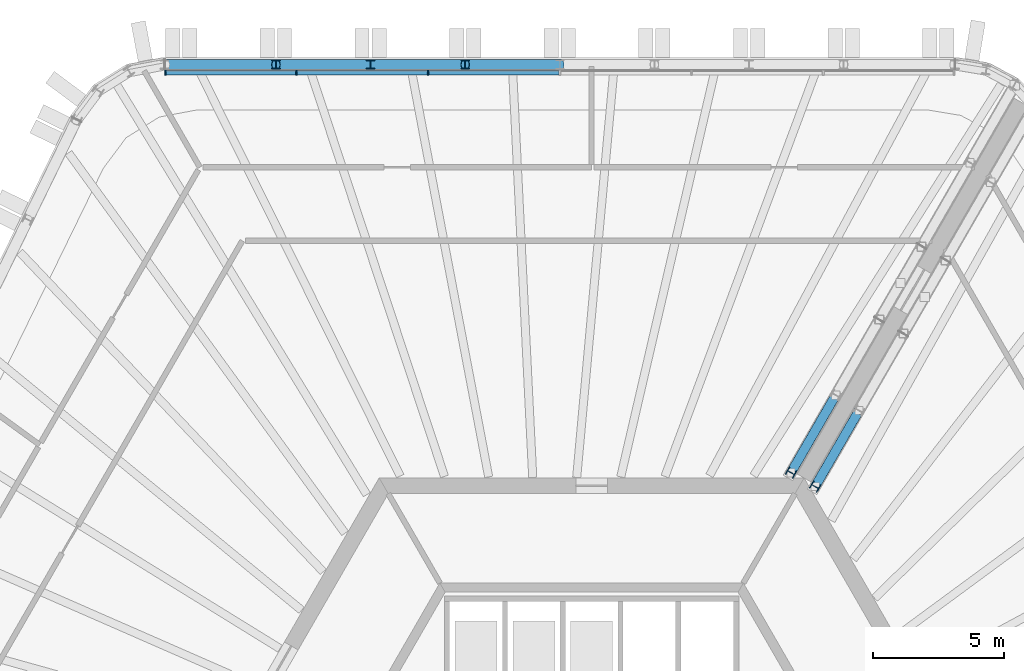
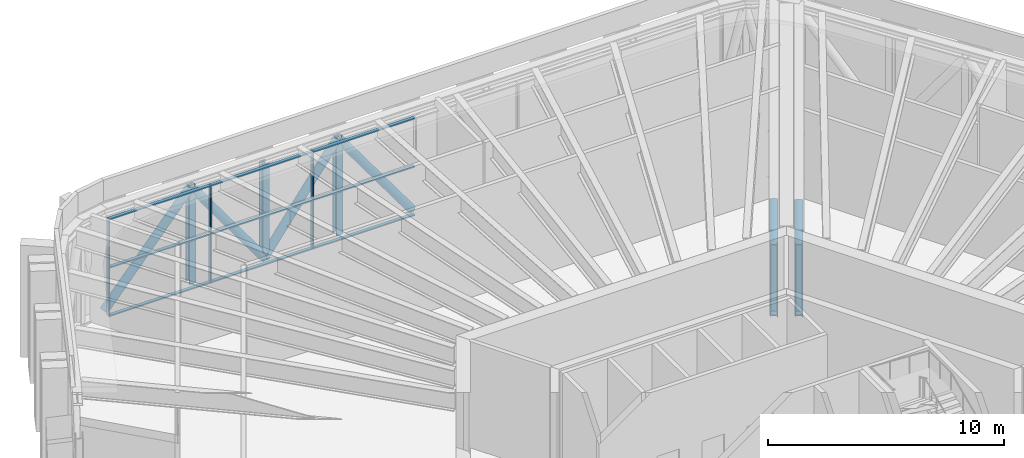
# One storey, part 7 of 27: 23 members, 1 element without a shape of its own.
"""IFC4 building model written with IfcOpenShell, lengths in metres."""

import ifcopenshell
import ifcopenshell.guid

model = None  # the IFC model being written
_history = None  # IfcOwnerHistory: only IFC2X3 demands one
_inside = {}  # id of a spatial element -> (the spatial element, [elements in it])
_under = {}  # id of a project, library or spatial element -> (it, [spatial elements below it])
_declared = {}  # id of a project -> (the project, [libraries it declares])
_typed = {}  # id of a type object -> (the type object, [elements of that type])
_made_of = {}  # id of a material, layer set ... -> (it, [elements and type objects made of it])


def new_model(schema):
    """Start an empty IFC model of exactly this schema.

    Asked for "IFC4X3", IfcOpenShell would pick the latest addendum, in which some entities
    have other attributes; the version numbers below select the first issue.
    IFC2X3 requires an IfcOwnerHistory on every rooted entity: one is made here for all.
    """
    global model, _history
    if schema == "IFC4X3":
        model = ifcopenshell.file(schema_version=(4, 3, 0, 0))
    else:
        model = ifcopenshell.file(schema=schema)
    _inside.clear()
    _under.clear()
    _declared.clear()
    _typed.clear()
    _made_of.clear()
    _history = None
    if model.schema == "IFC2X3":
        org = make("IfcOrganization", Name="unknown")
        user = make(
            "IfcPersonAndOrganization",
            ThePerson=make("IfcPerson", FamilyName="unknown"),
            TheOrganization=org,
        )
        app = make(
            "IfcApplication",
            ApplicationDeveloper=org,
            Version="unknown",
            ApplicationFullName="unknown",
            ApplicationIdentifier="unknown",
        )
        _history = make(
            "IfcOwnerHistory",
            OwningUser=user,
            OwningApplication=app,
            ChangeAction="ADDED",
            CreationDate=0,
        )
    return model


def make(cls, **values):
    """One entity of the class cls with the attributes given. An attribute that is None is left unset."""
    return model.create_entity(
        cls, **{name: value for name, value in values.items() if value is not None}
    )


def rooted(cls, **values):
    """An entity with a GlobalId (a new one), such as an element, a storey or a relation."""
    return make(cls, GlobalId=ifcopenshell.guid.new(), OwnerHistory=_history, **values)


def si_unit(unit_type, name, prefix=None):
    """IfcSIUnit, for example si_unit("LENGTHUNIT", "METRE", prefix="MILLI")."""
    return make("IfcSIUnit", UnitType=unit_type, Prefix=prefix, Name=name)


def assignment(units):
    """IfcUnitAssignment: the units of a project."""
    return None if units is None else make("IfcUnitAssignment", Units=units)


def point(xyz):
    """IfcCartesianPoint."""
    return None if xyz is None else make("IfcCartesianPoint", Coordinates=xyz)


def direction(xyz):
    """IfcDirection."""
    return None if xyz is None else make("IfcDirection", DirectionRatios=xyz)


def frame(location, z_axis=None, x_axis=None):
    """IfcAxis2Placement3D, a coordinate frame: its origin and axes. An axis left out is left unset."""
    return make(
        "IfcAxis2Placement3D",
        Location=point(location),
        Axis=direction(z_axis),
        RefDirection=direction(x_axis),
    )


def frame_2d(location, x_axis=None):
    """IfcAxis2Placement2D, a coordinate frame in the plane: its origin and x axis."""
    return make(
        "IfcAxis2Placement2D", Location=point(location), RefDirection=direction(x_axis)
    )


def origin():
    """The frame at (0, 0, 0) with its axes left unset."""
    return frame((0.0, 0.0, 0.0))


def origin_2d():
    """The frame at (0, 0) in the plane with its x axis left unset."""
    return frame_2d((0.0, 0.0))


def place(relative_to, where):
    """IfcLocalPlacement: puts the frame where relative to a parent placement (None: the world)."""
    return make(
        "IfcLocalPlacement", PlacementRelTo=relative_to, RelativePlacement=where
    )


def context(
    kind, dimensions, precision=None, world=None, true_north=None, identifier=None
):
    """IfcGeometricRepresentationContext, for example the 3D "Model" context."""
    return make(
        "IfcGeometricRepresentationContext",
        ContextIdentifier=identifier,
        ContextType=kind,
        CoordinateSpaceDimension=dimensions,
        Precision=precision,
        WorldCoordinateSystem=world,
        TrueNorth=true_north,
    )


def subcontext(parent, identifier, kind, view, scale=None):
    """IfcGeometricRepresentationSubContext, for example "Body" below "Model"."""
    return make(
        "IfcGeometricRepresentationSubContext",
        ContextIdentifier=identifier,
        ContextType=kind,
        ParentContext=parent,
        TargetScale=scale,
        TargetView=view,
    )


def project(units=None, contexts=None):
    """IfcProject with its units and contexts."""
    return rooted(
        "IfcProject",
        Name="project",
        RepresentationContexts=contexts,
        UnitsInContext=assignment(units),
    )


def spatial(cls, under=None, at=None, **own):
    """A site, building, storey or space (cls), placed at a placement, below another one or the project."""
    s = rooted(cls, ObjectPlacement=at, **own)
    if under is not None:
        _under.setdefault(under.id(), (under, []))[1].append(s)
    return s


def profile(cls, at=None, kind="AREA", **sizes):
    """A parametric profile (cls). Its sizes go by their IFC names, for example OverallWidth=200.0."""
    return make(cls, ProfileType=kind, Position=at, **sizes)


def rectangle(**sizes):
    """IfcRectangleProfileDef."""
    return profile("IfcRectangleProfileDef", **sizes)


def hollow_circle(**sizes):
    """IfcCircleHollowProfileDef."""
    return profile("IfcCircleHollowProfileDef", **sizes)


def i_section(**sizes):
    """IfcIShapeProfileDef."""
    return profile("IfcIShapeProfileDef", **sizes)


def extrude(swept, where, along, depth):
    """IfcExtrudedAreaSolid: the profile swept, set in the frame where, extruded along a direction by depth."""
    return make(
        "IfcExtrudedAreaSolid",
        SweptArea=swept,
        Position=where,
        ExtrudedDirection=direction(along),
        Depth=depth,
    )


def shape(context_of_items, identifier, shape_type, items):
    """IfcShapeRepresentation: the items that make up one representation, for example the "Body"."""
    return make(
        "IfcShapeRepresentation",
        ContextOfItems=context_of_items,
        RepresentationIdentifier=identifier,
        RepresentationType=shape_type,
        Items=items,
    )


def material(Name=None, Category=None):
    """IfcMaterial."""
    return make("IfcMaterial", Name=Name, Category=Category)


def material_profile(
    of_material, cross_section, Name=None, Category=None, Priority=None
):
    """IfcMaterialProfile: a cross section and its material."""
    return make(
        "IfcMaterialProfile",
        Name=Name,
        Material=of_material,
        Profile=cross_section,
        Priority=Priority,
        Category=Category,
    )


def profile_set(profiles, Name=None, composite=None):
    """IfcMaterialProfileSet."""
    return make(
        "IfcMaterialProfileSet",
        Name=Name,
        MaterialProfiles=profiles,
        CompositeProfile=composite,
    )


def made_of(thing, what):
    """Note that an element or type object is made of a material, layer set ...; save() writes the relation."""
    if what is not None:
        _made_of.setdefault(what.id(), (what, []))[1].append(thing)
    return thing


def type_object(cls, material=None, **own):
    """A type object (cls), such as IfcWallType, which elements share."""
    return made_of(rooted(cls, **own), material)


def element(
    cls,
    number,
    at=None,
    inside=None,
    cuts=None,
    type_object=None,
    material=None,
    context=None,
    identifier="Body",
    shape_type=None,
    held_by="IfcProductDefinitionShape",
    body=None,
    shapes=None,
    **own,
):
    """One element of the class cls, such as IfcWall. Its Tag is "e" and its number.

    at: its placement. inside: the storey or other place that contains it. cuts: it is an
    opening in that element (IfcRelVoidsElement). A single representation is given by context,
    identifier, shape_type and body (its items); several are given by shapes. held_by: the class
    of the entity that holds the representations. save() writes the other relations.
    """
    e = rooted(cls, Tag="e%d" % number, ObjectPlacement=at, **own)
    if body is not None:
        shapes = [shape(context, identifier, shape_type, body)]
    if shapes is not None:
        e.Representation = make(held_by, Representations=shapes)
    if inside is not None:
        _inside.setdefault(inside.id(), (inside, []))[1].append(e)
    if cuts is not None:
        rooted(
            "IfcRelVoidsElement", RelatingBuildingElement=cuts, RelatedOpeningElement=e
        )
    if type_object is not None:
        _typed.setdefault(type_object.id(), (type_object, []))[1].append(e)
    return made_of(e, material)


def aggregate(whole, parts):
    """IfcRelAggregates: a whole, such as a stair, and the parts it consists of."""
    return rooted("IfcRelAggregates", RelatingObject=whole, RelatedObjects=parts)


def save(model, path):
    """Write the relations noted so far, then the file.

    IfcRelAggregates (storeys below a building ...), IfcRelContainedInSpatialStructure (elements
    in a storey), IfcRelDefinesByType, IfcRelAssociatesMaterial and IfcRelDeclares: one each for
    every whole, place, type object, material and project.
    """
    for whole, parts in _under.values():
        aggregate(whole, parts)
    for where, things in _inside.values():
        rooted(
            "IfcRelContainedInSpatialStructure",
            RelatedElements=things,
            RelatingStructure=where,
        )
    for kind, things in _typed.values():
        rooted("IfcRelDefinesByType", RelatedObjects=things, RelatingType=kind)
    for what, things in _made_of.values():
        rooted("IfcRelAssociatesMaterial", RelatedObjects=things, RelatingMaterial=what)
    for by, libraries in _declared.values():
        rooted("IfcRelDeclares", RelatingContext=by, RelatedDefinitions=libraries)
    model.write(path)


model = new_model("IFC4")

# Units and contexts
model_context = context("Model", 3, precision=1e-05, world=origin(), true_north=direction((0.0, 1.0)))
body_context = subcontext(model_context, "Body", "Model", "MODEL_VIEW")
ifc_project = project(units=[si_unit("LENGTHUNIT", "METRE"), si_unit("AREAUNIT", "SQUARE_METRE"), si_unit("VOLUMEUNIT", "CUBIC_METRE"), si_unit("PLANEANGLEUNIT", "RADIAN"), si_unit("MASSUNIT", "GRAM", prefix="KILO")], contexts=[model_context])

# Site, building, storey
site_placement = place(None, origin())
site = spatial("IfcSite", under=ifc_project, at=site_placement, CompositionType="ELEMENT")
building_placement = place(site_placement, origin())
building = spatial("IfcBuilding", under=site, at=building_placement, Name="Tarnside Tower", CompositionType="ELEMENT")
storey_placement = place(building_placement, frame((0.0, 0.0, 146.699951171875)))
storey = spatial("IfcBuildingStorey", under=building, at=storey_placement, Name="L34", CompositionType="ELEMENT", Elevation=146.699951171875)

# Members
ifc_material_1 = material(Name="Steel S355", Category="steel")
ifc_material_profile_1 = material_profile(ifc_material_1, hollow_circle(Radius=0.177734375, WallThickness=0.01611328125, at=origin_2d()), Name="CHS 355.6x16")
ifc_profile_set_1 = profile_set([ifc_material_profile_1], Name="Steel S355")
member_type_1 = type_object("IfcMemberType", Name="Outrigger diagonal CHS 355.6x16", PredefinedType="BRACE", material=ifc_profile_set_1)
member_1_placement = place(storey_placement, frame((7.585693359375, 14.199462890625, 0.921142578125), z_axis=(0.340680500688, 0.590109040481, 0.731920840524), x_axis=(-0.866037549347, 0.499978962678, 0.0)))
element("IfcMember", 1, at=member_1_placement, inside=storey, type_object=member_type_1, Name="Outrigger truss diagonal OR1A 1", PredefinedType="BRACE", context=body_context, shape_type="SweptSolid", body=[
    extrude(hollow_circle(Radius=0.177734375, WallThickness=0.01611328125, at=origin_2d()), origin(), (0.0, 0.0, 1.0), 4.997802734375),
])
member_2_placement = place(storey_placement, frame((8.504150390625, 13.669189453125, 0.921142578125), z_axis=(0.337241918553, 0.58411246384, 0.73829568464), x_axis=(-0.866022559518, 0.500004926382, 0.0)))
element("IfcMember", 2, at=member_2_placement, inside=storey, type_object=member_type_1, Name="Outrigger truss diagonal OR1B 1", PredefinedType="BRACE", context=body_context, shape_type="SweptSolid", body=[
    extrude(hollow_circle(Radius=0.177734375, WallThickness=0.01611328125, at=origin_2d()), origin(), (0.0, 0.0, 1.0), 4.95458984375),
])
ifc_material_profile_2 = material_profile(ifc_material_1, i_section(OverallWidth=0.314453125, OverallDepth=0.33984375, WebThickness=0.01904296875, FlangeThickness=0.031494140625, FilletRadius=0.01513671875, at=origin_2d()), Name="UC 305x305x198")
ifc_profile_set_2 = profile_set([ifc_material_profile_2], Name="Steel S355")
member_type_2 = type_object("IfcMemberType", Name="Outrigger post UC 305x305x198", PredefinedType="POST", material=ifc_profile_set_2)
for number, where, z_axis, x_axis, name in (
    (3, (7.585693359375, 14.199462890625, 0.921142578125), (0.0, 0.0, 1.0), (0.5, 0.866025403784, 0.0), "Outrigger truss post OR1A 1"),
    (4, (8.504150390625, 13.669189453125, 0.921142578125), (0.0, 0.0, 1.0), (0.5, 0.866025403784, 0.0), "Outrigger truss post OR1B 1"),
):
    element("IfcMember", number, at=place(storey_placement, frame(where, z_axis=z_axis, x_axis=x_axis)), inside=storey, type_object=member_type_2, Name=name, PredefinedType="POST", context=body_context, shape_type="SweptSolid", body=[
        extrude(i_section(OverallWidth=0.314453125, OverallDepth=0.33984375, WebThickness=0.01904296875, FlangeThickness=0.031494140625, FilletRadius=0.01513671875, at=origin_2d()), origin(), (0.0, 0.0, 1.0), 3.657958984375),
    ])

# Curtain wall, members
ifc_material_2 = material(Name="Sky lobby glazing wall", Category="glass")
curtain_wall_type = type_object("IfcCurtainWallType", Name="Sky lobby glazing wall", PredefinedType="NOTDEFINED", material=ifc_material_2)
curtain_wall_placement = place(storey_placement, origin())
curtain_wall = element("IfcCurtainWall", 5, at=curtain_wall_placement, inside=storey, type_object=curtain_wall_type, Name="Sky lobby glazing L34 F1", PredefinedType="NOTDEFINED")
ifc_material_3 = material(Name="Aluminium alloy 6063", Category="aluminium")
ifc_material_profile_3 = material_profile(ifc_material_3, rectangle(XDim=0.199951171875, YDim=0.06005859375, at=origin_2d()), Name="Sky lobby glazing mullion 60 x 200")
ifc_profile_set_3 = profile_set([ifc_material_profile_3], Name="Aluminium alloy 6063")
member_type_3 = type_object("IfcMemberType", Name="Sky lobby glazing mullion 60 x 200", PredefinedType="MULLION", material=ifc_profile_set_3)
member_3_placement = place(storey_placement, frame((-6.222900390625, 29.4189453125, 0.0), z_axis=(0.0, 0.0, 1.0), x_axis=(0.0, -1.0, 0.0)))
member_3 = element("IfcMember", 6, at=member_3_placement, type_object=member_type_3, Name="CW4 mullion 5", PredefinedType="MULLION", context=body_context, shape_type="SweptSolid", body=[
    extrude(rectangle(XDim=0.199951171875, YDim=0.06005859375, at=origin_2d()), origin(), (0.0, 0.0, 1.0), 5.0634765625),
])
member_4_placement = place(storey_placement, frame((-11.23486328125, 29.4189453125, 0.0), z_axis=(0.0, 0.0, 1.0), x_axis=(0.0, -1.0, 0.0)))
member_4 = element("IfcMember", 7, at=member_4_placement, type_object=member_type_3, Name="CW4 mullion 6", PredefinedType="MULLION", context=body_context, shape_type="SweptSolid", body=[
    extrude(rectangle(XDim=0.199951171875, YDim=0.06005859375, at=origin_2d()), origin(), (0.0, 0.0, 1.0), 5.0634765625),
])
member_5_placement = place(storey_placement, frame((-16.216552734375, 29.4189453125, 0.0), z_axis=(0.0, 0.0, 1.0), x_axis=(0.0, -1.0, 0.0)))
member_5 = element("IfcMember", 8, at=member_5_placement, type_object=member_type_3, Name="CW4 mullion 7", PredefinedType="MULLION", context=body_context, shape_type="SweptSolid", body=[
    extrude(rectangle(XDim=0.199951171875, YDim=0.06005859375, at=origin_2d()), origin(), (0.0, 0.0, 1.0), 5.0634765625),
])
ifc_material_profile_4 = material_profile(ifc_material_3, rectangle(XDim=0.159912109375, YDim=0.06005859375, at=origin_2d()), Name="Sky lobby glazing transom 60 x 160")
ifc_profile_set_4 = profile_set([ifc_material_profile_4], Name="Aluminium alloy 6063")
member_type_4 = type_object("IfcMemberType", Name="Sky lobby glazing transom 60 x 160", PredefinedType="USERDEFINED", material=ifc_profile_set_4)
member_6_placement = place(storey_placement, frame((-1.240966796875, 29.4189453125, 0.030029296875), z_axis=(-1.0, 0.0, 0.0), x_axis=(0.0, -1.0, 0.0)))
member_6 = element("IfcMember", 9, at=member_6_placement, type_object=member_type_4, Name="CW4 transom 4.1", ObjectType="TRANSOM", PredefinedType="USERDEFINED", context=body_context, shape_type="SweptSolid", body=[
    extrude(rectangle(XDim=0.159912109375, YDim=0.06005859375, at=origin_2d()), origin(), (0.0, 0.0, 1.0), 4.951904296875),
])
member_7_placement = place(storey_placement, frame((-1.240966796875, 29.4189453125, 2.53173828125), z_axis=(-1.0, 0.0, 0.0), x_axis=(0.0, -1.0, 0.0)))
member_7 = element("IfcMember", 10, at=member_7_placement, type_object=member_type_4, Name="CW4 transom 4.2", ObjectType="TRANSOM", PredefinedType="USERDEFINED", context=body_context, shape_type="SweptSolid", body=[
    extrude(rectangle(XDim=0.159912109375, YDim=0.06005859375, at=origin_2d()), origin(), (0.0, 0.0, 1.0), 4.951904296875),
])
member_8_placement = place(storey_placement, frame((-1.240966796875, 29.4189453125, 5.033447265625), z_axis=(-1.0, 0.0, 0.0), x_axis=(0.0, -1.0, 0.0)))
member_8 = element("IfcMember", 11, at=member_8_placement, type_object=member_type_4, Name="CW4 transom 4.3", ObjectType="TRANSOM", PredefinedType="USERDEFINED", context=body_context, shape_type="SweptSolid", body=[
    extrude(rectangle(XDim=0.159912109375, YDim=0.06005859375, at=origin_2d()), origin(), (0.0, 0.0, 1.0), 4.951904296875),
])
member_9_placement = place(storey_placement, frame((-6.2529296875, 29.4189453125, 0.030029296875), z_axis=(-1.0, 0.0, 0.0), x_axis=(0.0, -1.0, 0.0)))
member_9 = element("IfcMember", 12, at=member_9_placement, type_object=member_type_4, Name="CW4 transom 5.1", ObjectType="TRANSOM", PredefinedType="USERDEFINED", context=body_context, shape_type="SweptSolid", body=[
    extrude(rectangle(XDim=0.159912109375, YDim=0.06005859375, at=origin_2d()), origin(), (0.0, 0.0, 1.0), 4.951904296875),
])
member_10_placement = place(storey_placement, frame((-6.2529296875, 29.4189453125, 2.53173828125), z_axis=(-1.0, 0.0, 0.0), x_axis=(0.0, -1.0, 0.0)))
member_10 = element("IfcMember", 13, at=member_10_placement, type_object=member_type_4, Name="CW4 transom 5.2", ObjectType="TRANSOM", PredefinedType="USERDEFINED", context=body_context, shape_type="SweptSolid", body=[
    extrude(rectangle(XDim=0.159912109375, YDim=0.06005859375, at=origin_2d()), origin(), (0.0, 0.0, 1.0), 4.951904296875),
])
member_11_placement = place(storey_placement, frame((-6.2529296875, 29.4189453125, 5.033447265625), z_axis=(-1.0, 0.0, 0.0), x_axis=(0.0, -1.0, 0.0)))
member_11 = element("IfcMember", 14, at=member_11_placement, type_object=member_type_4, Name="CW4 transom 5.3", ObjectType="TRANSOM", PredefinedType="USERDEFINED", context=body_context, shape_type="SweptSolid", body=[
    extrude(rectangle(XDim=0.159912109375, YDim=0.06005859375, at=origin_2d()), origin(), (0.0, 0.0, 1.0), 4.951904296875),
])
member_12_placement = place(storey_placement, frame((-11.2646484375, 29.4189453125, 0.030029296875), z_axis=(-1.0, 0.0, 0.0), x_axis=(0.0, -1.0, 0.0)))
member_12 = element("IfcMember", 15, at=member_12_placement, type_object=member_type_4, Name="CW4 transom 6.1", ObjectType="TRANSOM", PredefinedType="USERDEFINED", context=body_context, shape_type="SweptSolid", body=[
    extrude(rectangle(XDim=0.159912109375, YDim=0.06005859375, at=origin_2d()), origin(), (0.0, 0.0, 1.0), 4.921875),
])
member_13_placement = place(storey_placement, frame((-11.2646484375, 29.4189453125, 2.53173828125), z_axis=(-1.0, 0.0, 0.0), x_axis=(0.0, -1.0, 0.0)))
member_13 = element("IfcMember", 16, at=member_13_placement, type_object=member_type_4, Name="CW4 transom 6.2", ObjectType="TRANSOM", PredefinedType="USERDEFINED", context=body_context, shape_type="SweptSolid", body=[
    extrude(rectangle(XDim=0.159912109375, YDim=0.06005859375, at=origin_2d()), origin(), (0.0, 0.0, 1.0), 4.921875),
])
member_14_placement = place(storey_placement, frame((-11.2646484375, 29.4189453125, 5.033447265625), z_axis=(-1.0, 0.0, 0.0), x_axis=(0.0, -1.0, 0.0)))
member_14 = element("IfcMember", 17, at=member_14_placement, type_object=member_type_4, Name="CW4 transom 6.3", ObjectType="TRANSOM", PredefinedType="USERDEFINED", context=body_context, shape_type="SweptSolid", body=[
    extrude(rectangle(XDim=0.159912109375, YDim=0.06005859375, at=origin_2d()), origin(), (0.0, 0.0, 1.0), 4.921875),
])
aggregate(curtain_wall, [member_3, member_4, member_5, member_6, member_7, member_8, member_9, member_10, member_11, member_12, member_13, member_14])

# Members
ifc_material_profile_5 = material_profile(ifc_material_1, hollow_circle(Radius=0.203125, WallThickness=0.01611328125, at=origin_2d()), Name="CHS 406.4x16")
ifc_profile_set_5 = profile_set([ifc_material_profile_5], Name="Steel S355")
member_type_5 = type_object("IfcMemberType", Name="Truss diagonal CHS 406.4x16", PredefinedType="BRACE", material=ifc_profile_set_5)
member_15_placement = place(storey_placement, frame((-1.211181640625, 29.72509765625, 0.119140625), z_axis=(-0.588596477515, 0.0, 0.808426982885), x_axis=(0.0, -1.0, 0.0)))
element("IfcMember", 18, at=member_15_placement, inside=storey, type_object=member_type_5, Name="Belt truss diagonal L34 5", PredefinedType="BRACE", context=body_context, shape_type="SweptSolid", body=[
    extrude(hollow_circle(Radius=0.203125, WallThickness=0.01611328125, at=origin_2d()), origin(), (0.0, 0.0, 1.0), 6.115966796875),
])
member_16_placement = place(storey_placement, frame((-4.81103515625, 29.72509765625, 5.0634765625), z_axis=(-0.588622565419, 0.0, -0.808407988258), x_axis=(0.0, -1.0, 0.0)))
element("IfcMember", 19, at=member_16_placement, inside=storey, type_object=member_type_5, Name="Belt truss diagonal L34 6", PredefinedType="BRACE", context=body_context, shape_type="SweptSolid", body=[
    extrude(hollow_circle(Radius=0.203125, WallThickness=0.01611328125, at=origin_2d()), origin(), (0.0, 0.0, 1.0), 6.1162109375),
])
member_17_placement = place(storey_placement, frame((-8.4111328125, 29.72509765625, 0.119140625), z_axis=(-0.588596477515, 0.0, 0.808426982885), x_axis=(0.0, -1.0, 0.0)))
element("IfcMember", 20, at=member_17_placement, inside=storey, type_object=member_type_5, Name="Belt truss diagonal L34 7", PredefinedType="BRACE", context=body_context, shape_type="SweptSolid", body=[
    extrude(hollow_circle(Radius=0.203125, WallThickness=0.01611328125, at=origin_2d()), origin(), (0.0, 0.0, 1.0), 6.115966796875),
])
member_18_placement = place(storey_placement, frame((-12.010986328125, 29.72509765625, 5.0634765625), z_axis=(-0.650578262617, 0.0, -0.75943921693), x_axis=(0.0, -1.0, 0.0)))
element("IfcMember", 21, at=member_18_placement, inside=storey, type_object=member_type_5, Name="Belt truss diagonal L34 8", PredefinedType="BRACE", context=body_context, shape_type="SweptSolid", body=[
    extrude(hollow_circle(Radius=0.203125, WallThickness=0.01611328125, at=origin_2d()), origin(), (0.0, 0.0, 1.0), 6.510498046875),
])
ifc_material_profile_6 = material_profile(ifc_material_1, i_section(OverallWidth=0.314453125, OverallDepth=0.33984375, WebThickness=0.01904296875, FlangeThickness=0.031494140625, FilletRadius=0.01513671875, at=origin_2d()), Name="UC 305x305x198")
ifc_profile_set_6 = profile_set([ifc_material_profile_6], Name="Steel S355")
member_type_6 = type_object("IfcMemberType", Name="Truss post UC 305x305x198", PredefinedType="POST", material=ifc_profile_set_6)
for number, where, z_axis, x_axis, name in (
    (22, (-4.81103515625, 29.72509765625, 0.119140625), (0.0, 0.0, 1.0), (-1.0, 0.0, 0.0), "Belt truss post L34 6"),
    (23, (-8.4111328125, 29.72509765625, 0.119140625), (0.0, 0.0, 1.0), (-1.0, 0.0, 0.0), "Belt truss post L34 7"),
    (24, (-12.010986328125, 29.72509765625, 0.119140625), (0.0, 0.0, 1.0), (-1.0, 0.0, 0.0), "Belt truss post L34 8"),
):
    element("IfcMember", number, at=place(storey_placement, frame(where, z_axis=z_axis, x_axis=x_axis)), inside=storey, type_object=member_type_6, Name=name, PredefinedType="POST", context=body_context, shape_type="SweptSolid", body=[
        extrude(i_section(OverallWidth=0.314453125, OverallDepth=0.33984375, WebThickness=0.01904296875, FlangeThickness=0.031494140625, FilletRadius=0.01513671875, at=origin_2d()), origin(), (0.0, 0.0, 1.0), 4.9443359375),
    ])

save(model, "model.ifc")
